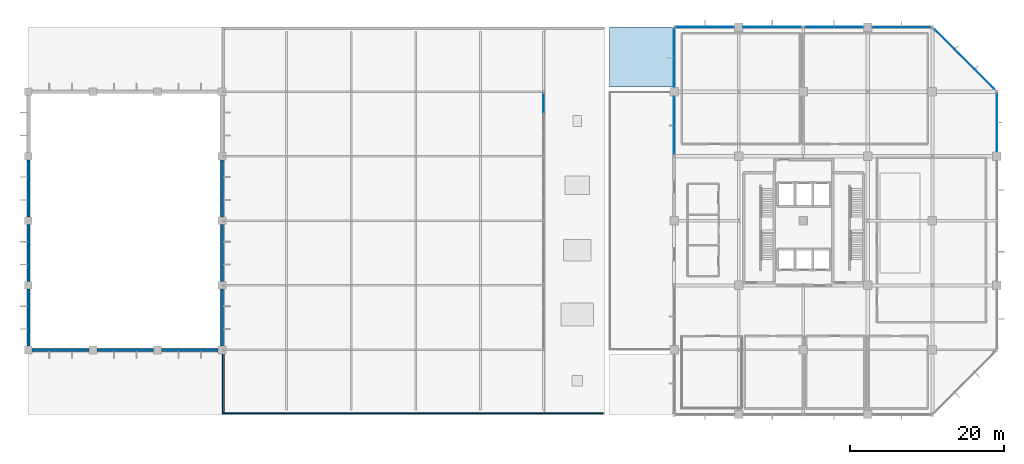
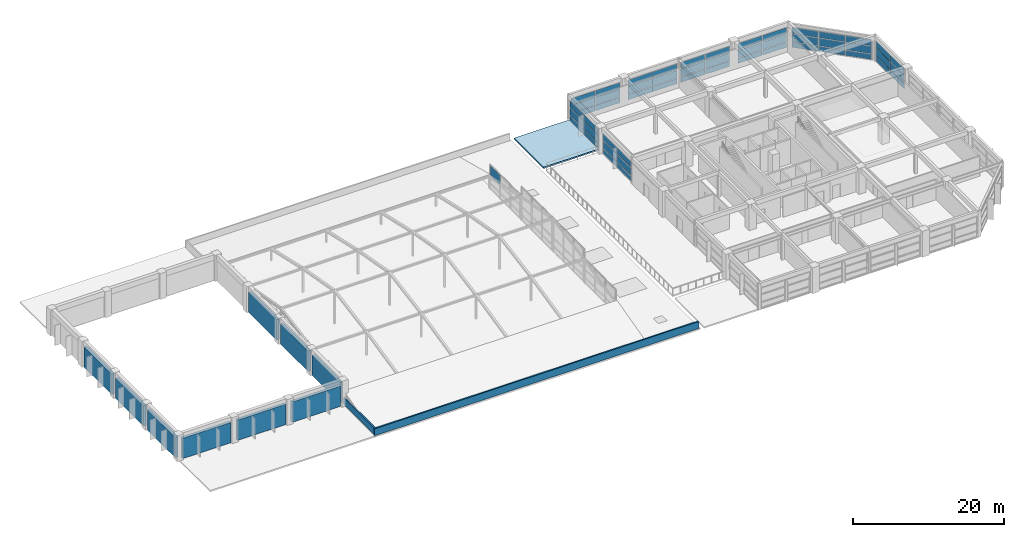
# One storey, part 29 of 34: 52 plates, 11 walls, 1 slab, 9 elements without a shape of their own.
"""IFC4 building model written with IfcOpenShell, lengths in metres."""

from ifc_helpers import new_model, si_unit, direction, frame, frame_2d, origin, origin_2d, place, context, subcontext, project, spatial, polyline, rectangle, outline, extrude, material, layer, layer_set, type_object, element, aggregate, save


model = new_model("IFC4")

# Units and contexts
model_context = context("Model", 3, precision=1e-05, world=origin(), true_north=direction((0.0, 1.0)))
body_context = subcontext(model_context, "Body", "Model", "MODEL_VIEW")
ifc_project = project(units=[si_unit("LENGTHUNIT", "METRE"), si_unit("AREAUNIT", "SQUARE_METRE"), si_unit("VOLUMEUNIT", "CUBIC_METRE"), si_unit("PLANEANGLEUNIT", "RADIAN"), si_unit("MASSUNIT", "GRAM", prefix="KILO")], contexts=[model_context])

# Site, building, storey
site_placement = place(None, origin())
site = spatial("IfcSite", under=ifc_project, at=site_placement, CompositionType="ELEMENT")
building_placement = place(site_placement, origin())
building = spatial("IfcBuilding", under=site, at=building_placement, Name="Xuanlan Plaza Opera House", CompositionType="ELEMENT")
storey_placement = place(building_placement, frame((0.0, 0.0, 27.89990234375)))
storey = spatial("IfcBuildingStorey", under=building, at=storey_placement, Name="L06", CompositionType="ELEMENT", Elevation=27.89990234375)

# Curtain wall, plates
ifc_material_1 = material(Name="Anodised Aluminium 6063-T6 and Low-E Glass", Category="aluminium")
curtain_wall_type_1 = type_object("IfcCurtainWallType", Name="ENV-CW-CW-03", PredefinedType="USERDEFINED", material=ifc_material_1)
curtain_wall_1_placement = place(storey_placement, origin())
curtain_wall_1 = element("IfcCurtainWall", 1, at=curtain_wall_1_placement, inside=storey, type_object=curtain_wall_type_1, Name="Unitised Curtain Wall L06-011", ObjectType="UNITISED CURTAIN WALL", PredefinedType="USERDEFINED")
ifc_material_2 = material(Name="Laminated Acoustic Double Glazing", Category="glass")
ifc_layer_1 = layer(ifc_material_2, 0.028076171875)
ifc_layer_set_1 = layer_set([ifc_layer_1], Name="Laminated Acoustic Double Glazing")
plate_type_1 = type_object("IfcPlateType", Name="ENV-CWP-01", PredefinedType="CURTAIN_PANEL", material=ifc_layer_set_1)
plate_1_placement = place(storey_placement, frame((157.45751953125, 84.0, 0.090087890625), z_axis=(0.0, 0.0, 1.0), x_axis=(-1.0, 0.0, 0.0)))
plate_1 = element("IfcPlate", 2, at=plate_1_placement, type_object=plate_type_1, Name="CW-03 panel 1.1", PredefinedType="CURTAIN_PANEL", context=body_context, shape_type="SweptSolid", body=[
    extrude(rectangle(XDim=3.68505859375, YDim=0.028076171875, at=origin_2d()), origin(), (0.0, 0.0, 1.0), 0.81494140625),
])
plate_2_placement = place(storey_placement, frame((157.45751953125, 84.0, 0.9951171875), z_axis=(0.0, 0.0, 1.0), x_axis=(-1.0, 0.0, 0.0)))
plate_2 = element("IfcPlate", 3, at=plate_2_placement, type_object=plate_type_1, Name="CW-03 panel 1.2", PredefinedType="CURTAIN_PANEL", context=body_context, shape_type="SweptSolid", body=[
    extrude(rectangle(XDim=3.68505859375, YDim=0.028076171875, at=origin_2d()), origin(), (0.0, 0.0, 1.0), 1.2099609375),
])
plate_3_placement = place(storey_placement, frame((157.45751953125, 84.0, 2.294921875), z_axis=(0.0, 0.0, 1.0), x_axis=(-1.0, 0.0, 0.0)))
plate_3 = element("IfcPlate", 4, at=plate_3_placement, type_object=plate_type_1, Name="CW-03 panel 1.3", PredefinedType="CURTAIN_PANEL", context=body_context, shape_type="SweptSolid", body=[
    extrude(rectangle(XDim=3.68505859375, YDim=0.028076171875, at=origin_2d()), origin(), (0.0, 0.0, 1.0), 0.9951171875),
])
plate_4_placement = place(storey_placement, frame((153.6923828125, 84.0, 0.090087890625), z_axis=(0.0, 0.0, 1.0), x_axis=(-1.0, 0.0, 0.0)))
plate_4 = element("IfcPlate", 5, at=plate_4_placement, type_object=plate_type_1, Name="CW-03 panel 2.1", PredefinedType="CURTAIN_PANEL", context=body_context, shape_type="SweptSolid", body=[
    extrude(rectangle(XDim=3.68505859375, YDim=0.028076171875, at=origin_2d()), origin(), (0.0, 0.0, 1.0), 0.81494140625),
])
plate_5_placement = place(storey_placement, frame((153.6923828125, 84.0, 0.9951171875), z_axis=(0.0, 0.0, 1.0), x_axis=(-1.0, 0.0, 0.0)))
plate_5 = element("IfcPlate", 6, at=plate_5_placement, type_object=plate_type_1, Name="CW-03 panel 2.2", PredefinedType="CURTAIN_PANEL", context=body_context, shape_type="SweptSolid", body=[
    extrude(rectangle(XDim=3.68505859375, YDim=0.028076171875, at=origin_2d()), origin(), (0.0, 0.0, 1.0), 1.2099609375),
])
plate_6_placement = place(storey_placement, frame((153.6923828125, 84.0, 2.294921875), z_axis=(0.0, 0.0, 1.0), x_axis=(-1.0, 0.0, 0.0)))
plate_6 = element("IfcPlate", 7, at=plate_6_placement, type_object=plate_type_1, Name="CW-03 panel 2.3", PredefinedType="CURTAIN_PANEL", context=body_context, shape_type="SweptSolid", body=[
    extrude(rectangle(XDim=3.68505859375, YDim=0.028076171875, at=origin_2d()), origin(), (0.0, 0.0, 1.0), 0.9951171875),
])
aggregate(curtain_wall_1, [plate_1, plate_2, plate_3, plate_4, plate_5, plate_6])

curtain_wall_type_2 = type_object("IfcCurtainWallType", Name="ENV-CW-CW-04", PredefinedType="USERDEFINED", material=ifc_material_1)
curtain_wall_2_placement = place(storey_placement, origin())
curtain_wall_2 = element("IfcCurtainWall", 8, at=curtain_wall_2_placement, inside=storey, type_object=curtain_wall_type_2, Name="Unitised Curtain Wall L06-016", ObjectType="UNITISED CURTAIN WALL", PredefinedType="USERDEFINED")
plate_7_placement = place(storey_placement, frame((126.0, 73.107421875, 0.090087890625), z_axis=(0.0, 0.0, 1.0), x_axis=(0.0, -1.0, 0.0)))
plate_7 = element("IfcPlate", 9, at=plate_7_placement, type_object=plate_type_1, Name="CW-04 panel 1.1", PredefinedType="CURTAIN_PANEL", context=body_context, shape_type="SweptSolid", body=[
    extrude(rectangle(XDim=3.68505859375, YDim=0.028076171875, at=origin_2d()), origin(), (0.0, 0.0, 1.0), 0.81494140625),
])
plate_8_placement = place(storey_placement, frame((126.0, 73.107421875, 0.9951171875), z_axis=(0.0, 0.0, 1.0), x_axis=(0.0, -1.0, 0.0)))
plate_8 = element("IfcPlate", 10, at=plate_8_placement, type_object=plate_type_1, Name="CW-04 panel 1.2", PredefinedType="CURTAIN_PANEL", context=body_context, shape_type="SweptSolid", body=[
    extrude(rectangle(XDim=3.68505859375, YDim=0.028076171875, at=origin_2d()), origin(), (0.0, 0.0, 1.0), 1.2099609375),
])
plate_9_placement = place(storey_placement, frame((126.0, 73.107421875, 2.294921875), z_axis=(0.0, 0.0, 1.0), x_axis=(0.0, -1.0, 0.0)))
plate_9 = element("IfcPlate", 11, at=plate_9_placement, type_object=plate_type_1, Name="CW-04 panel 1.3", PredefinedType="CURTAIN_PANEL", context=body_context, shape_type="SweptSolid", body=[
    extrude(rectangle(XDim=3.68505859375, YDim=0.028076171875, at=origin_2d()), origin(), (0.0, 0.0, 1.0), 0.9951171875),
])
plate_10_placement = place(storey_placement, frame((126.0, 69.342529296875, 0.090087890625), z_axis=(0.0, 0.0, 1.0), x_axis=(0.0, -1.0, 0.0)))
plate_10 = element("IfcPlate", 12, at=plate_10_placement, type_object=plate_type_1, Name="CW-04 panel 2.1", PredefinedType="CURTAIN_PANEL", context=body_context, shape_type="SweptSolid", body=[
    extrude(rectangle(XDim=3.68505859375, YDim=0.028076171875, at=origin_2d()), origin(), (0.0, 0.0, 1.0), 0.81494140625),
])
plate_11_placement = place(storey_placement, frame((126.0, 69.342529296875, 0.9951171875), z_axis=(0.0, 0.0, 1.0), x_axis=(0.0, -1.0, 0.0)))
plate_11 = element("IfcPlate", 13, at=plate_11_placement, type_object=plate_type_1, Name="CW-04 panel 2.2", PredefinedType="CURTAIN_PANEL", context=body_context, shape_type="SweptSolid", body=[
    extrude(rectangle(XDim=3.68505859375, YDim=0.028076171875, at=origin_2d()), origin(), (0.0, 0.0, 1.0), 1.2099609375),
])
plate_12_placement = place(storey_placement, frame((126.0, 69.342529296875, 2.294921875), z_axis=(0.0, 0.0, 1.0), x_axis=(0.0, -1.0, 0.0)))
plate_12 = element("IfcPlate", 14, at=plate_12_placement, type_object=plate_type_1, Name="CW-04 panel 2.3", PredefinedType="CURTAIN_PANEL", context=body_context, shape_type="SweptSolid", body=[
    extrude(rectangle(XDim=3.68505859375, YDim=0.028076171875, at=origin_2d()), origin(), (0.0, 0.0, 1.0), 0.9951171875),
])
aggregate(curtain_wall_2, [plate_7, plate_8, plate_9, plate_10, plate_11, plate_12])

curtain_wall_type_3 = type_object("IfcCurtainWallType", Name="ENV-CW-CW-01", PredefinedType="USERDEFINED", material=ifc_material_1)
curtain_wall_3_placement = place(storey_placement, origin())
curtain_wall_3 = element("IfcCurtainWall", 15, at=curtain_wall_3_placement, inside=storey, type_object=curtain_wall_type_3, Name="Unitised Curtain Wall L06-013", ObjectType="UNITISED CURTAIN WALL", PredefinedType="USERDEFINED")
ifc_layer_2 = layer(ifc_material_2, 0.031982421875)
ifc_layer_set_2 = layer_set([ifc_layer_2], Name="Laminated Acoustic Double Glazing")
plate_type_2 = type_object("IfcPlateType", Name="ENV-CWP-02", PredefinedType="CURTAIN_PANEL", material=ifc_layer_set_2)
plate_13_placement = place(storey_placement, frame((140.6611328125, 84.0, 0.080078125), z_axis=(0.0, 0.0, 1.0), x_axis=(-1.0, 0.0, 0.0)))
plate_13 = element("IfcPlate", 16, at=plate_13_placement, type_object=plate_type_2, Name="CW-01 panel 1.1", PredefinedType="CURTAIN_PANEL", context=body_context, shape_type="SweptSolid", body=[
    extrude(rectangle(XDim=3.70751953125, YDim=0.031982421875, at=origin_2d()), origin(), (0.0, 0.0, 1.0), 0.830078125),
])
plate_14_placement = place(storey_placement, frame((140.6611328125, 84.0, 0.990234375), z_axis=(0.0, 0.0, 1.0), x_axis=(-1.0, 0.0, 0.0)))
plate_14 = element("IfcPlate", 17, at=plate_14_placement, type_object=plate_type_2, Name="CW-01 panel 1.2", PredefinedType="CURTAIN_PANEL", context=body_context, shape_type="SweptSolid", body=[
    extrude(rectangle(XDim=3.70751953125, YDim=0.031982421875, at=origin_2d()), origin(), (0.0, 0.0, 1.0), 1.219970703125),
])
plate_15_placement = place(storey_placement, frame((140.6611328125, 84.0, 2.2900390625), z_axis=(0.0, 0.0, 1.0), x_axis=(-1.0, 0.0, 0.0)))
plate_15 = element("IfcPlate", 18, at=plate_15_placement, type_object=plate_type_2, Name="CW-01 panel 1.3", PredefinedType="CURTAIN_PANEL", context=body_context, shape_type="SweptSolid", body=[
    extrude(rectangle(XDim=3.70751953125, YDim=0.031982421875, at=origin_2d()), origin(), (0.0, 0.0, 1.0), 1.010009765625),
])
plate_16_placement = place(storey_placement, frame((136.888671875, 84.0, 0.080078125), z_axis=(0.0, 0.0, 1.0), x_axis=(-1.0, 0.0, 0.0)))
plate_16 = element("IfcPlate", 19, at=plate_16_placement, type_object=plate_type_2, Name="CW-01 panel 2.1", PredefinedType="CURTAIN_PANEL", context=body_context, shape_type="SweptSolid", body=[
    extrude(rectangle(XDim=3.70751953125, YDim=0.031982421875, at=origin_2d()), origin(), (0.0, 0.0, 1.0), 0.830078125),
])
plate_17_placement = place(storey_placement, frame((136.888671875, 84.0, 0.990234375), z_axis=(0.0, 0.0, 1.0), x_axis=(-1.0, 0.0, 0.0)))
plate_17 = element("IfcPlate", 20, at=plate_17_placement, type_object=plate_type_2, Name="CW-01 panel 2.2", PredefinedType="CURTAIN_PANEL", context=body_context, shape_type="SweptSolid", body=[
    extrude(rectangle(XDim=3.70751953125, YDim=0.031982421875, at=origin_2d()), origin(), (0.0, 0.0, 1.0), 1.219970703125),
])
plate_18_placement = place(storey_placement, frame((136.888671875, 84.0, 2.2900390625), z_axis=(0.0, 0.0, 1.0), x_axis=(-1.0, 0.0, 0.0)))
plate_18 = element("IfcPlate", 21, at=plate_18_placement, type_object=plate_type_2, Name="CW-01 panel 2.3", PredefinedType="CURTAIN_PANEL", context=body_context, shape_type="SweptSolid", body=[
    extrude(rectangle(XDim=3.70751953125, YDim=0.031982421875, at=origin_2d()), origin(), (0.0, 0.0, 1.0), 1.010009765625),
])
aggregate(curtain_wall_3, [plate_13, plate_14, plate_15, plate_16, plate_17, plate_18])

curtain_wall_type_4 = type_object("IfcCurtainWallType", Name="ENV-CW-CW-02", PredefinedType="USERDEFINED", material=ifc_material_1)
curtain_wall_4_placement = place(storey_placement, origin())
curtain_wall_4 = element("IfcCurtainWall", 22, at=curtain_wall_4_placement, inside=storey, type_object=curtain_wall_type_4, Name="Unitised Curtain Wall L06-010", ObjectType="UNITISED CURTAIN WALL", PredefinedType="USERDEFINED")
ifc_layer_3 = layer(ifc_material_2, 0.035888671875)
ifc_layer_set_3 = layer_set([ifc_layer_3], Name="Laminated Acoustic Double Glazing")
plate_type_3 = type_object("IfcPlateType", Name="ENV-CWP-03", PredefinedType="CURTAIN_PANEL", material=ifc_layer_set_3)
plate_19_placement = place(storey_placement, frame((166.387451171875, 77.212646484375, 0.0751953125), z_axis=(0.0, 0.0, 1.0), x_axis=(-0.707106781187, 0.707106781187, 0.0)))
plate_19 = element("IfcPlate", 23, at=plate_19_placement, type_object=plate_type_3, Name="CW-02 panel 1.1", PredefinedType="CURTAIN_PANEL", context=body_context, shape_type="SweptSolid", body=[
    extrude(rectangle(XDim=3.5654296875, YDim=0.035888671875, at=origin_2d()), origin(), (0.0, 0.0, 1.0), 0.83740234375),
])
plate_20_placement = place(storey_placement, frame((166.387451171875, 77.212646484375, 0.987548828125), z_axis=(0.0, 0.0, 1.0), x_axis=(-0.707106781187, 0.707106781187, 0.0)))
plate_20 = element("IfcPlate", 24, at=plate_20_placement, type_object=plate_type_3, Name="CW-02 panel 1.2", PredefinedType="CURTAIN_PANEL", context=body_context, shape_type="SweptSolid", body=[
    extrude(rectangle(XDim=3.5654296875, YDim=0.035888671875, at=origin_2d()), origin(), (0.0, 0.0, 1.0), 1.22509765625),
])
plate_21_placement = place(storey_placement, frame((166.387451171875, 77.212646484375, 2.28759765625), z_axis=(0.0, 0.0, 1.0), x_axis=(-0.707106781187, 0.707106781187, 0.0)))
plate_21 = element("IfcPlate", 25, at=plate_21_placement, type_object=plate_type_3, Name="CW-02 panel 1.3", PredefinedType="CURTAIN_PANEL", context=body_context, shape_type="SweptSolid", body=[
    extrude(rectangle(XDim=3.5654296875, YDim=0.035888671875, at=origin_2d()), origin(), (0.0, 0.0, 1.0), 1.017578125),
])
plate_22_placement = place(storey_placement, frame((163.800048828125, 79.800048828125, 0.0751953125), z_axis=(0.0, 0.0, 1.0), x_axis=(-0.707106781187, 0.707106781187, 0.0)))
plate_22 = element("IfcPlate", 26, at=plate_22_placement, type_object=plate_type_3, Name="CW-02 panel 2.1", PredefinedType="CURTAIN_PANEL", context=body_context, shape_type="SweptSolid", body=[
    extrude(rectangle(XDim=3.602783203125, YDim=0.035888671875, at=origin_2d()), origin(), (0.0, 0.0, 1.0), 0.83740234375),
])
plate_23_placement = place(storey_placement, frame((163.800048828125, 79.800048828125, 0.987548828125), z_axis=(0.0, 0.0, 1.0), x_axis=(-0.707106781187, 0.707106781187, 0.0)))
plate_23 = element("IfcPlate", 27, at=plate_23_placement, type_object=plate_type_3, Name="CW-02 panel 2.2", PredefinedType="CURTAIN_PANEL", context=body_context, shape_type="SweptSolid", body=[
    extrude(rectangle(XDim=3.602783203125, YDim=0.035888671875, at=origin_2d()), origin(), (0.0, 0.0, 1.0), 1.22509765625),
])
plate_24_placement = place(storey_placement, frame((163.800048828125, 79.800048828125, 2.28759765625), z_axis=(0.0, 0.0, 1.0), x_axis=(-0.707106781187, 0.707106781187, 0.0)))
plate_24 = element("IfcPlate", 28, at=plate_24_placement, type_object=plate_type_3, Name="CW-02 panel 2.3", PredefinedType="CURTAIN_PANEL", context=body_context, shape_type="SweptSolid", body=[
    extrude(rectangle(XDim=3.602783203125, YDim=0.035888671875, at=origin_2d()), origin(), (0.0, 0.0, 1.0), 1.017578125),
])
plate_25_placement = place(storey_placement, frame((161.212646484375, 82.387451171875, 0.0751953125), z_axis=(0.0, 0.0, 1.0), x_axis=(-0.707106781187, 0.707106781187, 0.0)))
plate_25 = element("IfcPlate", 29, at=plate_25_placement, type_object=plate_type_3, Name="CW-02 panel 3.1", PredefinedType="CURTAIN_PANEL", context=body_context, shape_type="SweptSolid", body=[
    extrude(rectangle(XDim=3.5654296875, YDim=0.035888671875, at=origin_2d()), origin(), (0.0, 0.0, 1.0), 0.83740234375),
])
plate_26_placement = place(storey_placement, frame((161.212646484375, 82.387451171875, 0.987548828125), z_axis=(0.0, 0.0, 1.0), x_axis=(-0.707106781187, 0.707106781187, 0.0)))
plate_26 = element("IfcPlate", 30, at=plate_26_placement, type_object=plate_type_3, Name="CW-02 panel 3.2", PredefinedType="CURTAIN_PANEL", context=body_context, shape_type="SweptSolid", body=[
    extrude(rectangle(XDim=3.5654296875, YDim=0.035888671875, at=origin_2d()), origin(), (0.0, 0.0, 1.0), 1.22509765625),
])
plate_27_placement = place(storey_placement, frame((161.212646484375, 82.387451171875, 2.28759765625), z_axis=(0.0, 0.0, 1.0), x_axis=(-0.707106781187, 0.707106781187, 0.0)))
plate_27 = element("IfcPlate", 31, at=plate_27_placement, type_object=plate_type_3, Name="CW-02 panel 3.3", PredefinedType="CURTAIN_PANEL", context=body_context, shape_type="SweptSolid", body=[
    extrude(rectangle(XDim=3.5654296875, YDim=0.035888671875, at=origin_2d()), origin(), (0.0, 0.0, 1.0), 1.017578125),
])
aggregate(curtain_wall_4, [plate_19, plate_20, plate_21, plate_22, plate_23, plate_24, plate_25, plate_26, plate_27])

curtain_wall_5_placement = place(storey_placement, origin())
curtain_wall_5 = element("IfcCurtainWall", 32, at=curtain_wall_5_placement, inside=storey, type_object=curtain_wall_type_1, Name="Unitised Curtain Wall L06-015", ObjectType="UNITISED CURTAIN WALL", PredefinedType="USERDEFINED")
plate_28_placement = place(storey_placement, frame((126.0, 81.858642578125, 0.0751953125), z_axis=(0.0, 0.0, 1.0), x_axis=(0.0, -1.0, 0.0)))
plate_28 = element("IfcPlate", 33, at=plate_28_placement, type_object=plate_type_3, Name="CW-03 panel 1.1", PredefinedType="CURTAIN_PANEL", context=body_context, shape_type="SweptSolid", body=[
    extrude(rectangle(XDim=3.6923828125, YDim=0.035888671875, at=origin_2d()), origin(), (0.0, 0.0, 1.0), 0.83740234375),
])
plate_29_placement = place(storey_placement, frame((126.0, 81.858642578125, 0.987548828125), z_axis=(0.0, 0.0, 1.0), x_axis=(0.0, -1.0, 0.0)))
plate_29 = element("IfcPlate", 34, at=plate_29_placement, type_object=plate_type_3, Name="CW-03 panel 1.2", PredefinedType="CURTAIN_PANEL", context=body_context, shape_type="SweptSolid", body=[
    extrude(rectangle(XDim=3.6923828125, YDim=0.035888671875, at=origin_2d()), origin(), (0.0, 0.0, 1.0), 1.22509765625),
])
plate_30_placement = place(storey_placement, frame((126.0, 81.858642578125, 2.28759765625), z_axis=(0.0, 0.0, 1.0), x_axis=(0.0, -1.0, 0.0)))
plate_30 = element("IfcPlate", 35, at=plate_30_placement, type_object=plate_type_3, Name="CW-03 panel 1.3", PredefinedType="CURTAIN_PANEL", context=body_context, shape_type="SweptSolid", body=[
    extrude(rectangle(XDim=3.6923828125, YDim=0.035888671875, at=origin_2d()), origin(), (0.0, 0.0, 1.0), 1.017578125),
])
plate_31_placement = place(storey_placement, frame((126.0, 78.09130859375, 0.0751953125), z_axis=(0.0, 0.0, 1.0), x_axis=(0.0, -1.0, 0.0)))
plate_31 = element("IfcPlate", 36, at=plate_31_placement, type_object=plate_type_3, Name="CW-03 panel 2.1", PredefinedType="CURTAIN_PANEL", context=body_context, shape_type="SweptSolid", body=[
    extrude(rectangle(XDim=3.6923828125, YDim=0.035888671875, at=origin_2d()), origin(), (0.0, 0.0, 1.0), 0.83740234375),
])
plate_32_placement = place(storey_placement, frame((126.0, 78.09130859375, 0.987548828125), z_axis=(0.0, 0.0, 1.0), x_axis=(0.0, -1.0, 0.0)))
plate_32 = element("IfcPlate", 37, at=plate_32_placement, type_object=plate_type_3, Name="CW-03 panel 2.2", PredefinedType="CURTAIN_PANEL", context=body_context, shape_type="SweptSolid", body=[
    extrude(rectangle(XDim=3.6923828125, YDim=0.035888671875, at=origin_2d()), origin(), (0.0, 0.0, 1.0), 1.22509765625),
])
plate_33_placement = place(storey_placement, frame((126.0, 78.09130859375, 2.28759765625), z_axis=(0.0, 0.0, 1.0), x_axis=(0.0, -1.0, 0.0)))
plate_33 = element("IfcPlate", 38, at=plate_33_placement, type_object=plate_type_3, Name="CW-03 panel 2.3", PredefinedType="CURTAIN_PANEL", context=body_context, shape_type="SweptSolid", body=[
    extrude(rectangle(XDim=3.6923828125, YDim=0.035888671875, at=origin_2d()), origin(), (0.0, 0.0, 1.0), 1.017578125),
])
aggregate(curtain_wall_5, [plate_28, plate_29, plate_30, plate_31, plate_32, plate_33])

# Curtain wall, plate
curtain_wall_type_5 = type_object("IfcCurtainWallType", Name="ENV-CW-CW-06", PredefinedType="USERDEFINED", material=ifc_material_1)
curtain_wall_6_placement = place(storey_placement, origin())
curtain_wall_6 = element("IfcCurtainWall", 39, at=curtain_wall_6_placement, inside=storey, type_object=curtain_wall_type_5, Name="Acoustic Glazed Wall SHL-L06-04", ObjectType="ACOUSTIC GLAZED WALL", PredefinedType="USERDEFINED")
plate_34_placement = place(storey_placement, frame((109.0, 74.081298828125, 2.28759765625), z_axis=(0.0, 0.0, 1.0), x_axis=(0.0, 1.0, 0.0)))
plate_34 = element("IfcPlate", 40, at=plate_34_placement, type_object=plate_type_3, Name="CW-06 panel 3.3", PredefinedType="CURTAIN_PANEL", context=body_context, shape_type="SweptSolid", body=[
    extrude(rectangle(XDim=2.58740234375, YDim=0.035888671875, at=origin_2d()), origin(), (0.0, 0.0, 1.0), 1.53759765625),
])
aggregate(curtain_wall_6, [plate_34])

# Curtain wall, plates
curtain_wall_7_placement = place(storey_placement, origin())
curtain_wall_7 = element("IfcCurtainWall", 41, at=curtain_wall_7_placement, inside=storey, type_object=curtain_wall_type_2, Name="Unitised Curtain Wall L06-012", ObjectType="UNITISED CURTAIN WALL", PredefinedType="USERDEFINED")
ifc_layer_4 = layer(ifc_material_2, 0.0400390625)
ifc_layer_set_4 = layer_set([ifc_layer_4], Name="Laminated Acoustic Double Glazing")
plate_type_4 = type_object("IfcPlateType", Name="ENV-CWP-04", PredefinedType="CURTAIN_PANEL", material=ifc_layer_set_4)
plate_35_placement = place(storey_placement, frame((148.705078125, 84.0, 0.0703125), z_axis=(0.0, 0.0, 1.0), x_axis=(-1.0, 0.0, 0.0)))
plate_35 = element("IfcPlate", 42, at=plate_35_placement, type_object=plate_type_4, Name="CW-04 panel 1.1", PredefinedType="CURTAIN_PANEL", context=body_context, shape_type="SweptSolid", body=[
    extrude(rectangle(XDim=3.669921875, YDim=0.0400390625, at=origin_2d()), origin(), (0.0, 0.0, 1.0), 0.844970703125),
])
plate_36_placement = place(storey_placement, frame((148.705078125, 84.0, 0.985107421875), z_axis=(0.0, 0.0, 1.0), x_axis=(-1.0, 0.0, 0.0)))
plate_36 = element("IfcPlate", 43, at=plate_36_placement, type_object=plate_type_4, Name="CW-04 panel 1.2", PredefinedType="CURTAIN_PANEL", context=body_context, shape_type="SweptSolid", body=[
    extrude(rectangle(XDim=3.669921875, YDim=0.0400390625, at=origin_2d()), origin(), (0.0, 0.0, 1.0), 1.22998046875),
])
plate_37_placement = place(storey_placement, frame((148.705078125, 84.0, 2.28515625), z_axis=(0.0, 0.0, 1.0), x_axis=(-1.0, 0.0, 0.0)))
plate_37 = element("IfcPlate", 44, at=plate_37_placement, type_object=plate_type_4, Name="CW-04 panel 1.3", PredefinedType="CURTAIN_PANEL", context=body_context, shape_type="SweptSolid", body=[
    extrude(rectangle(XDim=3.669921875, YDim=0.0400390625, at=origin_2d()), origin(), (0.0, 0.0, 1.0), 1.02490234375),
])
plate_38_placement = place(storey_placement, frame((144.945068359375, 84.0, 0.0703125), z_axis=(0.0, 0.0, 1.0), x_axis=(-1.0, 0.0, 0.0)))
plate_38 = element("IfcPlate", 45, at=plate_38_placement, type_object=plate_type_4, Name="CW-04 panel 2.1", PredefinedType="CURTAIN_PANEL", context=body_context, shape_type="SweptSolid", body=[
    extrude(rectangle(XDim=3.669921875, YDim=0.0400390625, at=origin_2d()), origin(), (0.0, 0.0, 1.0), 0.844970703125),
])
plate_39_placement = place(storey_placement, frame((144.945068359375, 84.0, 0.985107421875), z_axis=(0.0, 0.0, 1.0), x_axis=(-1.0, 0.0, 0.0)))
plate_39 = element("IfcPlate", 46, at=plate_39_placement, type_object=plate_type_4, Name="CW-04 panel 2.2", PredefinedType="CURTAIN_PANEL", context=body_context, shape_type="SweptSolid", body=[
    extrude(rectangle(XDim=3.669921875, YDim=0.0400390625, at=origin_2d()), origin(), (0.0, 0.0, 1.0), 1.22998046875),
])
plate_40_placement = place(storey_placement, frame((144.945068359375, 84.0, 2.28515625), z_axis=(0.0, 0.0, 1.0), x_axis=(-1.0, 0.0, 0.0)))
plate_40 = element("IfcPlate", 47, at=plate_40_placement, type_object=plate_type_4, Name="CW-04 panel 2.3", PredefinedType="CURTAIN_PANEL", context=body_context, shape_type="SweptSolid", body=[
    extrude(rectangle(XDim=3.669921875, YDim=0.0400390625, at=origin_2d()), origin(), (0.0, 0.0, 1.0), 1.02490234375),
])
aggregate(curtain_wall_7, [plate_35, plate_36, plate_37, plate_38, plate_39, plate_40])

curtain_wall_8_placement = place(storey_placement, origin())
curtain_wall_8 = element("IfcCurtainWall", 48, at=curtain_wall_8_placement, inside=storey, type_object=curtain_wall_type_3, Name="Unitised Curtain Wall L06-009", ObjectType="UNITISED CURTAIN WALL", PredefinedType="USERDEFINED")
ifc_layer_5 = layer(ifc_material_2, 0.0439453125)
ifc_layer_set_5 = layer_set([ifc_layer_5], Name="Laminated Acoustic Double Glazing")
plate_type_5 = type_object("IfcPlateType", Name="ENV-CWP-05", PredefinedType="CURTAIN_PANEL", material=ifc_layer_set_5)
plate_41_placement = place(storey_placement, frame((168.0, 69.68994140625, 0.065185546875), z_axis=(0.0, 0.0, 1.0), x_axis=(0.0, 1.0, 0.0)))
plate_41 = element("IfcPlate", 49, at=plate_41_placement, type_object=plate_type_5, Name="CW-01 panel 1.1", PredefinedType="CURTAIN_PANEL", context=body_context, shape_type="SweptSolid", body=[
    extrude(rectangle(XDim=3.699951171875, YDim=0.0439453125, at=origin_2d()), origin(), (0.0, 0.0, 1.0), 0.8525390625),
])
plate_42_placement = place(storey_placement, frame((168.0, 69.68994140625, 0.982421875), z_axis=(0.0, 0.0, 1.0), x_axis=(0.0, 1.0, 0.0)))
plate_42 = element("IfcPlate", 50, at=plate_42_placement, type_object=plate_type_5, Name="CW-01 panel 1.2", PredefinedType="CURTAIN_PANEL", context=body_context, shape_type="SweptSolid", body=[
    extrude(rectangle(XDim=3.699951171875, YDim=0.0439453125, at=origin_2d()), origin(), (0.0, 0.0, 1.0), 1.235107421875),
])
plate_43_placement = place(storey_placement, frame((168.0, 69.68994140625, 2.28271484375), z_axis=(0.0, 0.0, 1.0), x_axis=(0.0, 1.0, 0.0)))
plate_43 = element("IfcPlate", 51, at=plate_43_placement, type_object=plate_type_5, Name="CW-01 panel 1.3", PredefinedType="CURTAIN_PANEL", context=body_context, shape_type="SweptSolid", body=[
    extrude(rectangle(XDim=3.699951171875, YDim=0.0439453125, at=origin_2d()), origin(), (0.0, 0.0, 1.0), 1.032470703125),
])
plate_44_placement = place(storey_placement, frame((168.0, 73.4599609375, 0.065185546875), z_axis=(0.0, 0.0, 1.0), x_axis=(0.0, 1.0, 0.0)))
plate_44 = element("IfcPlate", 52, at=plate_44_placement, type_object=plate_type_5, Name="CW-01 panel 2.1", PredefinedType="CURTAIN_PANEL", context=body_context, shape_type="SweptSolid", body=[
    extrude(rectangle(XDim=3.699951171875, YDim=0.0439453125, at=origin_2d()), origin(), (0.0, 0.0, 1.0), 0.8525390625),
])
plate_45_placement = place(storey_placement, frame((168.0, 73.4599609375, 0.982421875), z_axis=(0.0, 0.0, 1.0), x_axis=(0.0, 1.0, 0.0)))
plate_45 = element("IfcPlate", 53, at=plate_45_placement, type_object=plate_type_5, Name="CW-01 panel 2.2", PredefinedType="CURTAIN_PANEL", context=body_context, shape_type="SweptSolid", body=[
    extrude(rectangle(XDim=3.699951171875, YDim=0.0439453125, at=origin_2d()), origin(), (0.0, 0.0, 1.0), 1.235107421875),
])
plate_46_placement = place(storey_placement, frame((168.0, 73.4599609375, 2.28271484375), z_axis=(0.0, 0.0, 1.0), x_axis=(0.0, 1.0, 0.0)))
plate_46 = element("IfcPlate", 54, at=plate_46_placement, type_object=plate_type_5, Name="CW-01 panel 2.3", PredefinedType="CURTAIN_PANEL", context=body_context, shape_type="SweptSolid", body=[
    extrude(rectangle(XDim=3.699951171875, YDim=0.0439453125, at=origin_2d()), origin(), (0.0, 0.0, 1.0), 1.032470703125),
])
aggregate(curtain_wall_8, [plate_41, plate_42, plate_43, plate_44, plate_45, plate_46])

curtain_wall_9_placement = place(storey_placement, origin())
curtain_wall_9 = element("IfcCurtainWall", 55, at=curtain_wall_9_placement, inside=storey, type_object=curtain_wall_type_4, Name="Unitised Curtain Wall L06-014", ObjectType="UNITISED CURTAIN WALL", PredefinedType="USERDEFINED")
plate_47_placement = place(storey_placement, frame((131.909912109375, 84.0, 0.065185546875), z_axis=(0.0, 0.0, 1.0), x_axis=(-1.0, 0.0, 0.0)))
plate_47 = element("IfcPlate", 56, at=plate_47_placement, type_object=plate_type_5, Name="CW-02 panel 1.1", PredefinedType="CURTAIN_PANEL", context=body_context, shape_type="SweptSolid", body=[
    extrude(rectangle(XDim=3.699951171875, YDim=0.0439453125, at=origin_2d()), origin(), (0.0, 0.0, 1.0), 0.8525390625),
])
plate_48_placement = place(storey_placement, frame((131.909912109375, 84.0, 0.982421875), z_axis=(0.0, 0.0, 1.0), x_axis=(-1.0, 0.0, 0.0)))
plate_48 = element("IfcPlate", 57, at=plate_48_placement, type_object=plate_type_5, Name="CW-02 panel 1.2", PredefinedType="CURTAIN_PANEL", context=body_context, shape_type="SweptSolid", body=[
    extrude(rectangle(XDim=3.699951171875, YDim=0.0439453125, at=origin_2d()), origin(), (0.0, 0.0, 1.0), 1.235107421875),
])
plate_49_placement = place(storey_placement, frame((131.909912109375, 84.0, 2.28271484375), z_axis=(0.0, 0.0, 1.0), x_axis=(-1.0, 0.0, 0.0)))
plate_49 = element("IfcPlate", 58, at=plate_49_placement, type_object=plate_type_5, Name="CW-02 panel 1.3", PredefinedType="CURTAIN_PANEL", context=body_context, shape_type="SweptSolid", body=[
    extrude(rectangle(XDim=3.699951171875, YDim=0.0439453125, at=origin_2d()), origin(), (0.0, 0.0, 1.0), 1.032470703125),
])
plate_50_placement = place(storey_placement, frame((128.139892578125, 84.0, 0.065185546875), z_axis=(0.0, 0.0, 1.0), x_axis=(-1.0, 0.0, 0.0)))
plate_50 = element("IfcPlate", 59, at=plate_50_placement, type_object=plate_type_5, Name="CW-02 panel 2.1", PredefinedType="CURTAIN_PANEL", context=body_context, shape_type="SweptSolid", body=[
    extrude(rectangle(XDim=3.699951171875, YDim=0.0439453125, at=origin_2d()), origin(), (0.0, 0.0, 1.0), 0.8525390625),
])
plate_51_placement = place(storey_placement, frame((128.139892578125, 84.0, 0.982421875), z_axis=(0.0, 0.0, 1.0), x_axis=(-1.0, 0.0, 0.0)))
plate_51 = element("IfcPlate", 60, at=plate_51_placement, type_object=plate_type_5, Name="CW-02 panel 2.2", PredefinedType="CURTAIN_PANEL", context=body_context, shape_type="SweptSolid", body=[
    extrude(rectangle(XDim=3.699951171875, YDim=0.0439453125, at=origin_2d()), origin(), (0.0, 0.0, 1.0), 1.235107421875),
])
plate_52_placement = place(storey_placement, frame((128.139892578125, 84.0, 2.28271484375), z_axis=(0.0, 0.0, 1.0), x_axis=(-1.0, 0.0, 0.0)))
plate_52 = element("IfcPlate", 61, at=plate_52_placement, type_object=plate_type_5, Name="CW-02 panel 2.3", PredefinedType="CURTAIN_PANEL", context=body_context, shape_type="SweptSolid", body=[
    extrude(rectangle(XDim=3.699951171875, YDim=0.0439453125, at=origin_2d()), origin(), (0.0, 0.0, 1.0), 1.032470703125),
])
aggregate(curtain_wall_9, [plate_47, plate_48, plate_49, plate_50, plate_51, plate_52])

# Slab
ifc_material_3 = material(Name="Concrete C40", Category="concrete")
ifc_layer_6 = layer(ifc_material_3, 0.22998046875)
ifc_layer_set_6 = layer_set([ifc_layer_6], Name="Concrete C40")
slab_type = type_object("IfcSlabType", Name="STR-SLB-RF-03", PredefinedType="ROOF", material=ifc_layer_set_6)
slab_placement = place(storey_placement, frame((0.0, 0.0, -0.22998046875)))
element("IfcSlab", 62, at=slab_placement, inside=storey, type_object=slab_type, Name="Atrium Canyon North Shoulder Roof Slab", PredefinedType="ROOF", context=body_context, shape_type="SweptSolid", body=[
    extrude(outline(polyline([(117.60009765625, 76.199951171875), (126.0, 76.199951171875), (126.0, 84.0), (117.60009765625, 84.0), (117.60009765625, 76.199951171875)])), origin(), (0.0, 0.0, 1.0), 0.22998046875),
])

# Walls
ifc_layer_7 = layer(ifc_material_3, 0.419921875)
ifc_layer_set_7 = layer_set([ifc_layer_7], Name="Concrete C40")
wall_type_1 = type_object("IfcWallType", Name="ENV-WL-EW-FLY", PredefinedType="SHEAR", material=ifc_layer_set_7)
wall_1_placement = place(storey_placement, frame((42.5, 42.0, 0.0), z_axis=(0.0, 0.0, 1.0), x_axis=(1.0, 0.0, 0.0)))
element("IfcWall", 63, at=wall_1_placement, inside=storey, type_object=wall_type_1, Name="Fly Tower Acoustic Enclosure Wall L06-01", PredefinedType="SHEAR", context=body_context, shape_type="SweptSolid", body=[
    extrude(rectangle(XDim=7.39990234375, YDim=0.419921875, at=frame_2d((3.699951171875, 0.0))), origin(), (0.0, 0.0, 1.0), 3.300048828125),
])
wall_2_placement = place(storey_placement, frame((50.89990234375, 42.0, 0.0), z_axis=(0.0, 0.0, 1.0), x_axis=(1.0, 0.0, 0.0)))
element("IfcWall", 64, at=wall_2_placement, inside=storey, type_object=wall_type_1, Name="Fly Tower Acoustic Enclosure Wall L06-02", PredefinedType="SHEAR", context=body_context, shape_type="SweptSolid", body=[
    extrude(rectangle(XDim=7.400146484375, YDim=0.419921875, at=frame_2d((3.7001953125, 0.0))), origin(), (0.0, 0.0, 1.0), 3.300048828125),
])
for number, where, z_axis, x_axis, name in (
    (65, (59.300048828125, 42.0, 0.0), (0.0, 0.0, 1.0), (1.0, 0.0, 0.0), "Fly Tower Acoustic Enclosure Wall L06-03"),
    (66, (67.199951171875, 42.5, 0.0), (0.0, 0.0, 1.0), (0.0, 1.0, 0.0), "Fly Tower Acoustic Enclosure Wall L06-04"),
):
    element("IfcWall", number, at=place(storey_placement, frame(where, z_axis=z_axis, x_axis=x_axis)), inside=storey, type_object=wall_type_1, Name=name, PredefinedType="SHEAR", context=body_context, shape_type="SweptSolid", body=[
        extrude(rectangle(XDim=7.39990234375, YDim=0.419921875, at=frame_2d((3.699951171875, 0.0))), origin(), (0.0, 0.0, 1.0), 3.300048828125),
    ])
wall_3_placement = place(storey_placement, frame((67.199951171875, 50.89990234375, 0.0), z_axis=(0.0, 0.0, 1.0), x_axis=(0.0, 1.0, 0.0)))
element("IfcWall", 67, at=wall_3_placement, inside=storey, type_object=wall_type_1, Name="Fly Tower Acoustic Enclosure Wall L06-05", PredefinedType="SHEAR", context=body_context, shape_type="SweptSolid", body=[
    extrude(rectangle(XDim=7.400146484375, YDim=0.419921875, at=frame_2d((3.7001953125, 0.0))), origin(), (0.0, 0.0, 1.0), 3.300048828125),
])
for number, where, z_axis, x_axis, name in (
    (68, (67.199951171875, 59.300048828125, 0.0), (0.0, 0.0, 1.0), (0.0, 1.0, 0.0), "Fly Tower Acoustic Enclosure Wall L06-06"),
    (69, (42.0, 66.699951171875, 0.0), (0.0, 0.0, 1.0), (0.0, -1.0, 0.0), "Fly Tower Acoustic Enclosure Wall L06-12"),
):
    element("IfcWall", number, at=place(storey_placement, frame(where, z_axis=z_axis, x_axis=x_axis)), inside=storey, type_object=wall_type_1, Name=name, PredefinedType="SHEAR", context=body_context, shape_type="SweptSolid", body=[
        extrude(rectangle(XDim=7.39990234375, YDim=0.419921875, at=frame_2d((3.699951171875, 0.0))), origin(), (0.0, 0.0, 1.0), 3.300048828125),
    ])
wall_4_placement = place(storey_placement, frame((42.0, 58.300048828125, 0.0), z_axis=(0.0, 0.0, 1.0), x_axis=(0.0, -1.0, 0.0)))
element("IfcWall", 70, at=wall_4_placement, inside=storey, type_object=wall_type_1, Name="Fly Tower Acoustic Enclosure Wall L06-13", PredefinedType="SHEAR", context=body_context, shape_type="SweptSolid", body=[
    extrude(rectangle(XDim=7.400146484375, YDim=0.419921875, at=frame_2d((3.7001953125, 0.0))), origin(), (0.0, 0.0, 1.0), 3.300048828125),
])
wall_5_placement = place(storey_placement, frame((42.0, 49.89990234375, 0.0), z_axis=(0.0, 0.0, 1.0), x_axis=(0.0, -1.0, 0.0)))
element("IfcWall", 71, at=wall_5_placement, inside=storey, type_object=wall_type_1, Name="Fly Tower Acoustic Enclosure Wall L06-14", PredefinedType="SHEAR", context=body_context, shape_type="SweptSolid", body=[
    extrude(rectangle(XDim=7.39990234375, YDim=0.419921875, at=frame_2d((3.699951171875, 0.0))), origin(), (0.0, 0.0, 1.0), 3.300048828125),
])
ifc_layer_8 = layer(ifc_material_3, 0.2099609375)
ifc_layer_set_8 = layer_set([ifc_layer_8], Name="Concrete C40")
wall_type_2 = type_object("IfcWallType", Name="ENV-WL-PRP-03", PredefinedType="PARAPET", material=ifc_layer_set_8)
wall_6_placement = place(storey_placement, frame((67.199951171875, 33.75, 0.0), z_axis=(0.0, 0.0, 1.0), x_axis=(1.0, 0.0, 0.0)))
element("IfcWall", 72, at=wall_6_placement, inside=storey, type_object=wall_type_2, Name="Opera Shell Gutter Parapet Wall 01", PredefinedType="PARAPET", context=body_context, shape_type="SweptSolid", body=[
    extrude(rectangle(XDim=49.60009765625, YDim=0.2099609375, at=frame_2d((24.800048828125, 0.0))), origin(), (0.0, 0.0, 1.0), 1.150146484375),
])
wall_7_placement = place(storey_placement, frame((67.35009765625, 33.75, 0.0), z_axis=(0.0, 0.0, 1.0), x_axis=(0.0, 1.0, 0.0)))
element("IfcWall", 73, at=wall_7_placement, inside=storey, type_object=wall_type_2, Name="Opera Shell Gutter Parapet Wall 03", PredefinedType="PARAPET", context=body_context, shape_type="SweptSolid", body=[
    extrude(rectangle(XDim=8.25, YDim=0.2099609375, at=frame_2d((4.125, 0.0))), origin(), (0.0, 0.0, 1.0), 1.150146484375),
])

save(model, "model.ifc")
